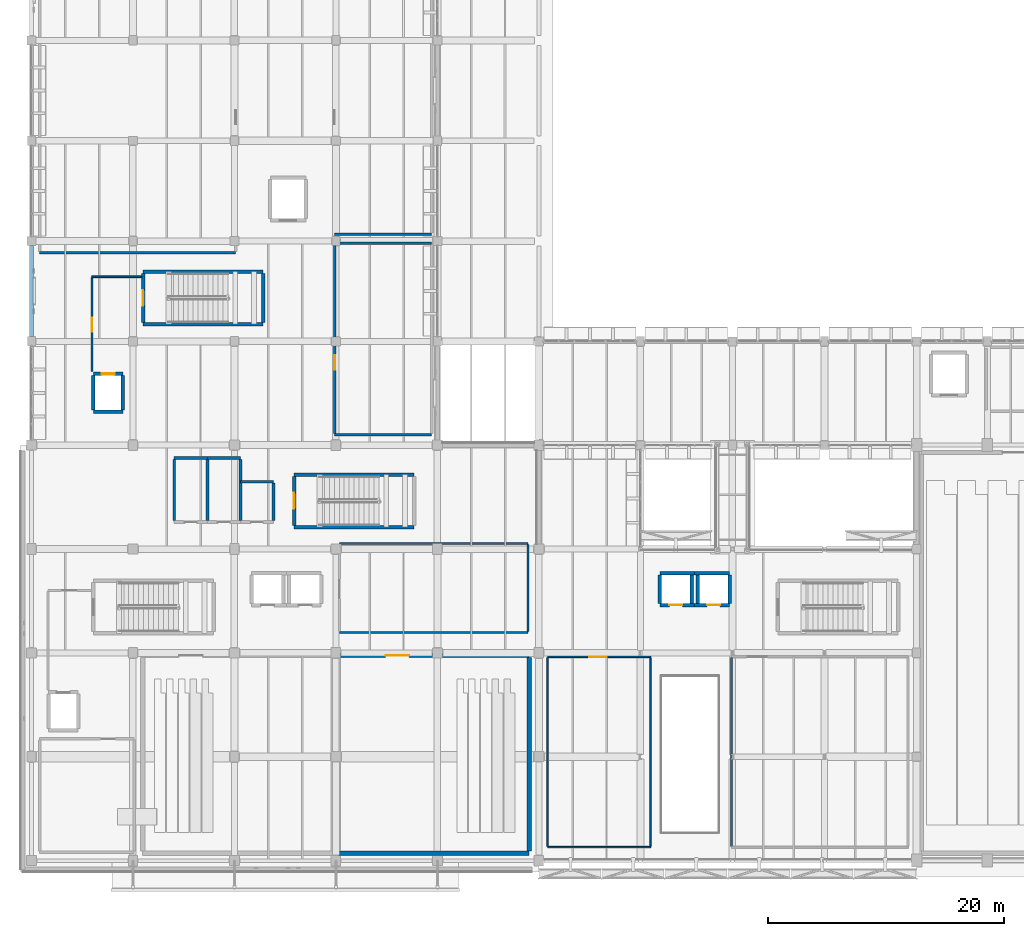
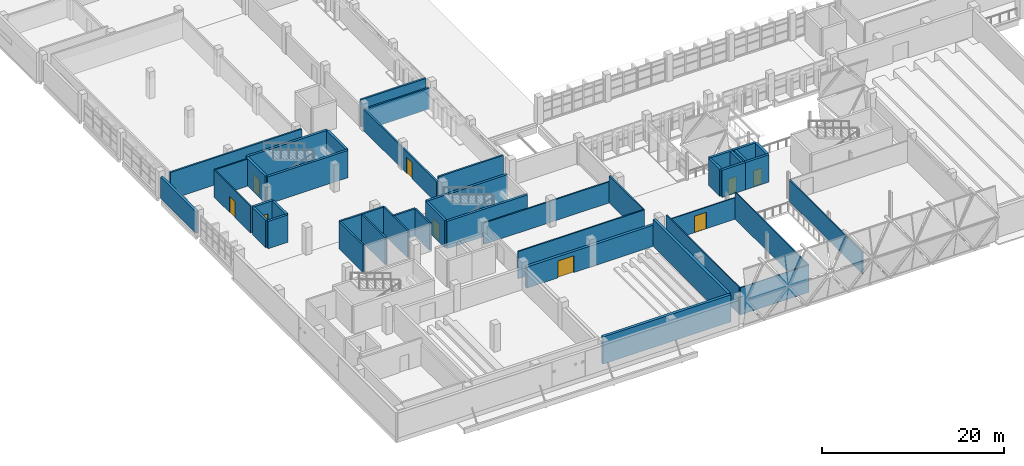
# One storey, part 60 of 80: 45 walls, 9 doors, 9 openings.
"""IFC4 building model written with IfcOpenShell, lengths in metres."""

from ifc_helpers import new_model, si_unit, direction, frame, frame_2d, origin, place, context, subcontext, project, spatial, rectangle, extrude, material, layer, layer_set, type_object, element, fill, save


model = new_model("IFC4")

# Units and contexts
model_context = context("Model", 3, precision=1e-05, world=origin(), true_north=direction((0.0, 1.0)))
body_context = subcontext(model_context, "Body", "Model", "MODEL_VIEW")
ifc_project = project(units=[si_unit("LENGTHUNIT", "METRE"), si_unit("AREAUNIT", "SQUARE_METRE"), si_unit("VOLUMEUNIT", "CUBIC_METRE"), si_unit("PLANEANGLEUNIT", "RADIAN"), si_unit("MASSUNIT", "GRAM", prefix="KILO")], contexts=[model_context])

# Site, building, storey
site_placement = place(None, origin())
site = spatial("IfcSite", under=ifc_project, at=site_placement, CompositionType="ELEMENT")
building_placement = place(site_placement, origin())
building = spatial("IfcBuilding", under=site, at=building_placement, Name="Varnakota Cinema and Media Centre", CompositionType="ELEMENT")
storey_placement = place(building_placement, frame((0.0, 0.0, 4.5)))
storey = spatial("IfcBuildingStorey", under=building, at=storey_placement, Name="L01", CompositionType="ELEMENT", Elevation=4.5)

# Wall
ifc_material_1 = material(Name="Autoclaved aerated concrete blockwork", Category="masonry")
ifc_layer_1 = layer(ifc_material_1, 0.2099609375)
ifc_layer_set_1 = layer_set([ifc_layer_1], Name="Autoclaved aerated concrete blockwork")
wall_type_1 = type_object("IfcWallType", Name="W-ACOUST-210", PredefinedType="PARTITIONING", material=ifc_layer_set_1)
wall_1_placement = place(storey_placement, frame((33.905029296875, 36.094970703125, 0.0), z_axis=(0.0, 0.0, 1.0), x_axis=(-1.0, 0.0, 0.0)))
element("IfcWall", 1, at=wall_1_placement, inside=storey, type_object=wall_type_1, Name="L01 RWALL-RM-L01-ADR S wall", PredefinedType="PARTITIONING", context=body_context, shape_type="SweptSolid", body=[
    extrude(rectangle(XDim=8.2099609375, YDim=0.2099609375, at=frame_2d((4.10498046875, 0.0))), origin(), (0.0, 0.0, 1.0), 3.6298828125),
])

# Wall, opening, door
wall_2_placement = place(storey_placement, frame((25.695068359375, 36.199951171875, 0.0), z_axis=(0.0, 0.0, 1.0), x_axis=(0.0, 1.0, 0.0)))
wall_2 = element("IfcWall", 2, at=wall_2_placement, inside=storey, type_object=wall_type_1, Name="L01 RWALL-RM-L01-ADR W wall", PredefinedType="PARTITIONING", context=body_context, shape_type="SweptSolid", body=[
    extrude(rectangle(XDim=16.0, YDim=0.2099609375, at=frame_2d((8.0, 0.0))), origin(), (0.0, 0.0, 1.0), 2.8798828125),
])
opening_1_placement = place(wall_2_placement, frame((5.39990234375, 0.0, 0.0)))
opening_1 = element("IfcOpeningElement", 3, at=opening_1_placement, cuts=wall_2, Name="Opening D-068", PredefinedType="OPENING", context=body_context, shape_type="SweptSolid", body=[
    extrude(rectangle(XDim=1.199951171875, YDim=2.14990234375, at=frame_2d((0.60009765625, 1.074951171875))), frame((0.0, 0.10498046875, 0.0), z_axis=(0.0, -1.0, 0.0), x_axis=(1.0, 0.0, 0.0)), (0.0, 0.0, 1.0), 0.2099609375),
])
ifc_material_2 = material(Name="Thermally broken anodised aluminium AW-6063", Category="aluminium")
door_type_1 = type_object("IfcDoorType", Name="DR-STD-1200x2150", OperationType="NOTDEFINED", PredefinedType="DOOR", material=ifc_material_2)
door_1_placement = place(opening_1_placement, origin())
door_1 = element("IfcDoor", 4, at=door_1_placement, inside=storey, type_object=door_type_1, Name="L01 door D-068", OperationType="SINGLE_SWING_RIGHT", OverallHeight=2.14990234375, OverallWidth=1.199951171875, PredefinedType="DOOR", context=body_context, shape_type="SweptSolid", body=[
    extrude(rectangle(XDim=1.199951171875, YDim=2.14990234375, at=frame_2d((0.60009765625, 1.074951171875))), frame((0.0, 0.02490234375, 0.0), z_axis=(0.0, -1.0, 0.0), x_axis=(1.0, 0.0, 0.0)), (0.0, 0.0, 1.0), 0.050048828125),
])
fill(opening_1, door_1)

# Walls
wall_3_placement = place(storey_placement, frame((25.695068359375, 52.304931640625, 0.0), z_axis=(0.0, 0.0, 1.0), x_axis=(1.0, 0.0, 0.0)))
element("IfcWall", 5, at=wall_3_placement, inside=storey, type_object=wall_type_1, Name="L01 RWALL-RM-L01-ADR N wall", PredefinedType="PARTITIONING", context=body_context, shape_type="SweptSolid", body=[
    extrude(rectangle(XDim=8.2099609375, YDim=0.2099609375, at=frame_2d((4.10498046875, 0.0))), origin(), (0.0, 0.0, 1.0), 2.830078125),
])
wall_4_placement = place(storey_placement, frame((17.304931640625, 51.4951171875, 0.0), z_axis=(0.0, 0.0, 1.0), x_axis=(-1.0, 0.0, 0.0)))
element("IfcWall", 6, at=wall_4_placement, inside=storey, type_object=wall_type_1, Name="L01 RWALL-RM-L01-FOLEY2 S wall", PredefinedType="PARTITIONING", context=body_context, shape_type="SweptSolid", body=[
    extrude(rectangle(XDim=16.60986328125, YDim=0.2099609375, at=frame_2d((8.304931640625, 0.0))), origin(), (0.0, 0.0, 1.0), 3.6298828125),
])
ifc_material_3 = material(Name="Autoclaved aerated concrete blockwork", Category="masonry")
ifc_layer_2 = layer(ifc_material_3, 0.22998046875)
ifc_layer_set_2 = layer_set([ifc_layer_2], Name="Autoclaved aerated concrete blockwork")
wall_type_2 = type_object("IfcWallType", Name="W-BOX-230", PredefinedType="PARTITIONING", material=ifc_layer_set_2)
wall_5_placement = place(storey_placement, frame((33.9150390625, 53.0849609375, 0.0), z_axis=(0.0, 0.0, 1.0), x_axis=(-1.0, 0.0, 0.0)))
element("IfcWall", 7, at=wall_5_placement, inside=storey, type_object=wall_type_2, Name="L01 RWALL-RM-L01-MCR S wall", PredefinedType="PARTITIONING", context=body_context, shape_type="SweptSolid", body=[
    extrude(rectangle(XDim=8.22998046875, YDim=0.22998046875, at=frame_2d((4.114990234375, 0.0))), origin(), (0.0, 0.0, 1.0), 3.6298828125),
])
ifc_material_4 = material(Name="Concrete M40", Category="concrete")
ifc_layer_3 = layer(ifc_material_4, 0.300048828125)
ifc_layer_set_3 = layer_set([ifc_layer_3], Name="Concrete M40")
wall_type_3 = type_object("IfcWallType", Name="W-CORE-300", PredefinedType="SHEAR", material=ifc_layer_set_3)
wall_6_placement = place(storey_placement, frame((32.429931640625, 28.25, 0.0), z_axis=(0.0, 0.0, 1.0), x_axis=(-1.0, 0.0, 0.0)))
element("IfcWall", 8, at=wall_6_placement, inside=storey, type_object=wall_type_3, Name="L01 CWALL-ST-02-L01 S wall", PredefinedType="SHEAR", context=body_context, shape_type="SweptSolid", body=[
    extrude(rectangle(XDim=10.179931640625, YDim=0.300048828125, at=frame_2d((5.08984375, 0.0))), origin(), (0.0, 0.0, 1.0), 3.64990234375),
])

# Wall, opening, door
wall_7_placement = place(storey_placement, frame((22.25, 28.39990234375, 0.0), z_axis=(0.0, 0.0, 1.0), x_axis=(0.0, 1.0, 0.0)))
wall_7 = element("IfcWall", 9, at=wall_7_placement, inside=storey, type_object=wall_type_3, Name="L01 CWALL-ST-02-L01 W wall", PredefinedType="SHEAR", context=body_context, shape_type="SweptSolid", body=[
    extrude(rectangle(XDim=4.150146484375, YDim=0.300048828125, at=frame_2d((2.0751953125, 0.0))), origin(), (0.0, 0.0, 1.0), 3.64990234375),
])
opening_2_placement = place(wall_7_placement, frame((1.39990234375, 0.0, 0.0)))
opening_2 = element("IfcOpeningElement", 10, at=opening_2_placement, cuts=wall_7, Name="Opening SD-02", PredefinedType="OPENING", context=body_context, shape_type="SweptSolid", body=[
    extrude(rectangle(XDim=1.35009765625, YDim=2.199951171875, at=frame_2d((0.675048828125, 1.10009765625))), frame((0.0, 0.14990234375, 0.0), z_axis=(0.0, -1.0, 0.0), x_axis=(1.0, 0.0, 0.0)), (0.0, 0.0, 1.0), 0.300048828125),
])
ifc_material_5 = material(Name="Thermally broken anodised aluminium AW-6063", Category="aluminium")
door_type_2 = type_object("IfcDoorType", Name="DR-STAIR-1350x2200", OperationType="NOTDEFINED", PredefinedType="DOOR", material=ifc_material_5)
door_2_placement = place(opening_2_placement, origin())
door_2 = element("IfcDoor", 11, at=door_2_placement, inside=storey, type_object=door_type_2, Name="L01 door SD-02", OperationType="SINGLE_SWING_RIGHT", OverallHeight=2.199951171875, OverallWidth=1.35009765625, PredefinedType="DOOR", context=body_context, shape_type="SweptSolid", body=[
    extrude(rectangle(XDim=1.35009765625, YDim=2.199951171875, at=frame_2d((0.675048828125, 1.10009765625))), frame((0.0, 0.02490234375, 0.0), z_axis=(0.0, -1.0, 0.0), x_axis=(1.0, 0.0, 0.0)), (0.0, 0.0, 1.0), 0.050048828125),
])
fill(opening_2, door_2)

# Walls
for number, where, z_axis, x_axis, name in (
    (12, (22.25, 32.699951171875, 0.0), (0.0, 0.0, 1.0), (1.0, 0.0, 0.0), "L01 CWALL-ST-02-L01 N wall"),
    (13, (19.6298828125, 45.449951171875, 0.0), (0.0, 0.0, 1.0), (-1.0, 0.0, 0.0), "L01 CWALL-ST-03-L01 S wall"),
):
    element("IfcWall", number, at=place(storey_placement, frame(where, z_axis=z_axis, x_axis=x_axis)), inside=storey, type_object=wall_type_3, Name=name, PredefinedType="SHEAR", context=body_context, shape_type="SweptSolid", body=[
        extrude(rectangle(XDim=10.179931640625, YDim=0.300048828125, at=frame_2d((5.08984375, 0.0))), origin(), (0.0, 0.0, 1.0), 3.64990234375),
    ])

# Wall, opening, door
wall_8_placement = place(storey_placement, frame((9.449951171875, 45.60009765625, 0.0), z_axis=(0.0, 0.0, 1.0), x_axis=(0.0, 1.0, 0.0)))
wall_8 = element("IfcWall", 14, at=wall_8_placement, inside=storey, type_object=wall_type_3, Name="L01 CWALL-ST-03-L01 W wall", PredefinedType="SHEAR", context=body_context, shape_type="SweptSolid", body=[
    extrude(rectangle(XDim=4.14990234375, YDim=0.300048828125, at=frame_2d((2.074951171875, 0.0))), origin(), (0.0, 0.0, 1.0), 3.64990234375),
])
opening_3_placement = place(wall_8_placement, frame((1.39990234375, 0.0, 0.0)))
opening_3 = element("IfcOpeningElement", 15, at=opening_3_placement, cuts=wall_8, Name="Opening SD-03", PredefinedType="OPENING", context=body_context, shape_type="SweptSolid", body=[
    extrude(rectangle(XDim=1.35009765625, YDim=2.199951171875, at=frame_2d((0.675048828125, 1.10009765625))), frame((0.0, 0.14990234375, 0.0), z_axis=(0.0, -1.0, 0.0), x_axis=(1.0, 0.0, 0.0)), (0.0, 0.0, 1.0), 0.300048828125),
])
door_3_placement = place(opening_3_placement, origin())
door_3 = element("IfcDoor", 16, at=door_3_placement, inside=storey, type_object=door_type_2, Name="L01 door SD-03", OperationType="SINGLE_SWING_RIGHT", OverallHeight=2.199951171875, OverallWidth=1.35009765625, PredefinedType="DOOR", context=body_context, shape_type="SweptSolid", body=[
    extrude(rectangle(XDim=1.35009765625, YDim=2.199951171875, at=frame_2d((0.675048828125, 1.10009765625))), frame((0.0, 0.02490234375, 0.0), z_axis=(0.0, -1.0, 0.0), x_axis=(1.0, 0.0, 0.0)), (0.0, 0.0, 1.0), 0.050048828125),
])
fill(opening_3, door_3)

# Walls
wall_9_placement = place(storey_placement, frame((9.449951171875, 49.89990234375, 0.0), z_axis=(0.0, 0.0, 1.0), x_axis=(1.0, 0.0, 0.0)))
element("IfcWall", 17, at=wall_9_placement, inside=storey, type_object=wall_type_3, Name="L01 CWALL-ST-03-L01 N wall", PredefinedType="SHEAR", context=body_context, shape_type="SweptSolid", body=[
    extrude(rectangle(XDim=10.179931640625, YDim=0.300048828125, at=frame_2d((5.08984375, 0.0))), origin(), (0.0, 0.0, 1.0), 3.64990234375),
])
wall_10_placement = place(storey_placement, frame((19.6298828125, 49.75, 0.0), z_axis=(0.0, 0.0, 1.0), x_axis=(0.0, -1.0, 0.0)))
element("IfcWall", 18, at=wall_10_placement, inside=storey, type_object=wall_type_3, Name="L01 CWALL-ST-03-L01 E wall", PredefinedType="SHEAR", context=body_context, shape_type="SweptSolid", body=[
    extrude(rectangle(XDim=4.14990234375, YDim=0.300048828125, at=frame_2d((2.074951171875, 0.0))), origin(), (0.0, 0.0, 1.0), 3.64990234375),
])
wall_11_placement = place(storey_placement, frame((7.75, 38.050048828125, 0.0), z_axis=(0.0, 0.0, 1.0), x_axis=(-1.0, 0.0, 0.0)))
element("IfcWall", 19, at=wall_11_placement, inside=storey, type_object=wall_type_3, Name="L01 LSHAFT-LF-02-L01 S wall", PredefinedType="SHEAR", context=body_context, shape_type="SweptSolid", body=[
    extrude(rectangle(XDim=2.5, YDim=0.300048828125, at=frame_2d((1.25, 0.0))), origin(), (0.0, 0.0, 1.0), 3.64990234375),
])
wall_12_placement = place(storey_placement, frame((5.25, 38.199951171875, 0.0), z_axis=(0.0, 0.0, 1.0), x_axis=(0.0, 1.0, 0.0)))
element("IfcWall", 20, at=wall_12_placement, inside=storey, type_object=wall_type_3, Name="L01 LSHAFT-LF-02-L01 W wall", PredefinedType="SHEAR", context=body_context, shape_type="SweptSolid", body=[
    extrude(rectangle(XDim=2.900146484375, YDim=0.300048828125, at=frame_2d((1.4501953125, 0.0))), origin(), (0.0, 0.0, 1.0), 3.64990234375),
])

# Wall, opening, door
wall_13_placement = place(storey_placement, frame((5.25, 41.25, 0.0), z_axis=(0.0, 0.0, 1.0), x_axis=(1.0, 0.0, 0.0)))
wall_13 = element("IfcWall", 21, at=wall_13_placement, inside=storey, type_object=wall_type_3, Name="L01 LSHAFT-LF-02-L01 N wall", PredefinedType="SHEAR", context=body_context, shape_type="SweptSolid", body=[
    extrude(rectangle(XDim=2.5, YDim=0.300048828125, at=frame_2d((1.25, 0.0))), origin(), (0.0, 0.0, 1.0), 3.64990234375),
])
opening_4_placement = place(wall_13_placement, frame((0.699951171875, 0.0, 0.0)))
opening_4 = element("IfcOpeningElement", 22, at=opening_4_placement, cuts=wall_13, Name="Opening LD-02", PredefinedType="OPENING", context=body_context, shape_type="SweptSolid", body=[
    extrude(rectangle(XDim=1.10009765625, YDim=2.10009765625, at=frame_2d((0.550048828125, 1.050048828125))), frame((0.0, 0.14990234375, 0.0), z_axis=(0.0, -1.0, 0.0), x_axis=(1.0, 0.0, 0.0)), (0.0, 0.0, 1.0), 0.300048828125),
])
ifc_material_6 = material(Name="Thermally broken anodised aluminium AW-6063", Category="aluminium")
door_type_3 = type_object("IfcDoorType", Name="DR-LIFT-1100x2100", OperationType="SLIDING_TO_LEFT", PredefinedType="DOOR", material=ifc_material_6)
door_4_placement = place(opening_4_placement, origin())
door_4 = element("IfcDoor", 23, at=door_4_placement, inside=storey, type_object=door_type_3, Name="L01 door LD-02", OperationType="SLIDING_TO_LEFT", OverallHeight=2.10009765625, OverallWidth=1.10009765625, PredefinedType="DOOR", context=body_context, shape_type="SweptSolid", body=[
    extrude(rectangle(XDim=1.10009765625, YDim=2.10009765625, at=frame_2d((0.550048828125, 1.050048828125))), frame((0.0, 0.02490234375, 0.0), z_axis=(0.0, -1.0, 0.0), x_axis=(1.0, 0.0, 0.0)), (0.0, 0.0, 1.0), 0.050048828125),
])
fill(opening_4, door_4)

# Wall
wall_14_placement = place(storey_placement, frame((7.75, 41.10009765625, 0.0), z_axis=(0.0, 0.0, 1.0), x_axis=(0.0, -1.0, 0.0)))
element("IfcWall", 24, at=wall_14_placement, inside=storey, type_object=wall_type_3, Name="L01 LSHAFT-LF-02-L01 E wall", PredefinedType="SHEAR", context=body_context, shape_type="SweptSolid", body=[
    extrude(rectangle(XDim=2.900146484375, YDim=0.300048828125, at=frame_2d((1.4501953125, 0.0))), origin(), (0.0, 0.0, 1.0), 3.64990234375),
])

# Wall, opening, door
wall_15_placement = place(storey_placement, frame((56.199951171875, 21.64990234375, 0.0), z_axis=(0.0, 0.0, 1.0), x_axis=(-1.0, 0.0, 0.0)))
wall_15 = element("IfcWall", 25, at=wall_15_placement, inside=storey, type_object=wall_type_3, Name="L01 LSHAFT-LF-05-L01 S wall", PredefinedType="SHEAR", context=body_context, shape_type="SweptSolid", body=[
    extrude(rectangle(XDim=2.949951171875, YDim=0.300048828125, at=frame_2d((1.47509765625, 0.0))), origin(), (0.0, 0.0, 1.0), 3.64990234375),
])
opening_5_placement = place(wall_15_placement, frame((1.050048828125, 0.0, 0.0)))
opening_5 = element("IfcOpeningElement", 26, at=opening_5_placement, cuts=wall_15, Name="Opening LD-05", PredefinedType="OPENING", context=body_context, shape_type="SweptSolid", body=[
    extrude(rectangle(XDim=1.10009765625, YDim=2.10009765625, at=frame_2d((0.550048828125, 1.050048828125))), frame((0.0, 0.14990234375, 0.0), z_axis=(0.0, -1.0, 0.0), x_axis=(1.0, 0.0, 0.0)), (0.0, 0.0, 1.0), 0.300048828125),
])
door_5_placement = place(opening_5_placement, origin())
door_5 = element("IfcDoor", 27, at=door_5_placement, inside=storey, type_object=door_type_3, Name="L01 door LD-05", OperationType="SLIDING_TO_LEFT", OverallHeight=2.10009765625, OverallWidth=1.10009765625, PredefinedType="DOOR", context=body_context, shape_type="SweptSolid", body=[
    extrude(rectangle(XDim=1.10009765625, YDim=2.10009765625, at=frame_2d((0.550048828125, 1.050048828125))), frame((0.0, 0.02490234375, 0.0), z_axis=(0.0, -1.0, 0.0), x_axis=(1.0, 0.0, 0.0)), (0.0, 0.0, 1.0), 0.050048828125),
])
fill(opening_5, door_5)

# Walls
wall_16_placement = place(storey_placement, frame((53.25, 21.800048828125, 0.0), z_axis=(0.0, 0.0, 1.0), x_axis=(0.0, 1.0, 0.0)))
element("IfcWall", 28, at=wall_16_placement, inside=storey, type_object=wall_type_3, Name="L01 LSHAFT-LF-05-L01 W wall", PredefinedType="SHEAR", context=body_context, shape_type="SweptSolid", body=[
    extrude(rectangle(XDim=2.39990234375, YDim=0.300048828125, at=frame_2d((1.199951171875, 0.0))), origin(), (0.0, 0.0, 1.0), 3.64990234375),
])
wall_17_placement = place(storey_placement, frame((53.25, 24.35009765625, 0.0), z_axis=(0.0, 0.0, 1.0), x_axis=(1.0, 0.0, 0.0)))
element("IfcWall", 29, at=wall_17_placement, inside=storey, type_object=wall_type_3, Name="L01 LSHAFT-LF-05-L01 N wall", PredefinedType="SHEAR", context=body_context, shape_type="SweptSolid", body=[
    extrude(rectangle(XDim=2.949951171875, YDim=0.300048828125, at=frame_2d((1.47509765625, 0.0))), origin(), (0.0, 0.0, 1.0), 3.64990234375),
])
wall_18_placement = place(storey_placement, frame((55.949951171875, 24.199951171875, 0.0), z_axis=(0.0, 0.0, 1.0), x_axis=(0.0, -1.0, 0.0)))
element("IfcWall", 30, at=wall_18_placement, inside=storey, type_object=wall_type_3, Name="L01 LSHAFT-LF-05-L01 E wall", PredefinedType="SHEAR", context=body_context, shape_type="SweptSolid", body=[
    extrude(rectangle(XDim=2.39990234375, YDim=0.300048828125, at=frame_2d((1.199951171875, 0.0))), origin(), (0.0, 0.0, 1.0), 3.64990234375),
])

# Wall, opening, door
wall_19_placement = place(storey_placement, frame((59.14990234375, 21.64990234375, 0.0), z_axis=(0.0, 0.0, 1.0), x_axis=(-1.0, 0.0, 0.0)))
wall_19 = element("IfcWall", 31, at=wall_19_placement, inside=storey, type_object=wall_type_3, Name="L01 LSHAFT-LF-06-L01 S wall", PredefinedType="SHEAR", context=body_context, shape_type="SweptSolid", body=[
    extrude(rectangle(XDim=2.949951171875, YDim=0.300048828125, at=frame_2d((1.47509765625, 0.0))), origin(), (0.0, 0.0, 1.0), 3.64990234375),
])
opening_6_placement = place(wall_19_placement, frame((0.800048828125, 0.0, 0.0)))
opening_6 = element("IfcOpeningElement", 32, at=opening_6_placement, cuts=wall_19, Name="Opening LD-06", PredefinedType="OPENING", context=body_context, shape_type="SweptSolid", body=[
    extrude(rectangle(XDim=1.10009765625, YDim=2.10009765625, at=frame_2d((0.550048828125, 1.050048828125))), frame((0.0, 0.14990234375, 0.0), z_axis=(0.0, -1.0, 0.0), x_axis=(1.0, 0.0, 0.0)), (0.0, 0.0, 1.0), 0.300048828125),
])
door_6_placement = place(opening_6_placement, origin())
door_6 = element("IfcDoor", 33, at=door_6_placement, inside=storey, type_object=door_type_3, Name="L01 door LD-06", OperationType="SLIDING_TO_LEFT", OverallHeight=2.10009765625, OverallWidth=1.10009765625, PredefinedType="DOOR", context=body_context, shape_type="SweptSolid", body=[
    extrude(rectangle(XDim=1.10009765625, YDim=2.10009765625, at=frame_2d((0.550048828125, 1.050048828125))), frame((0.0, 0.02490234375, 0.0), z_axis=(0.0, -1.0, 0.0), x_axis=(1.0, 0.0, 0.0)), (0.0, 0.0, 1.0), 0.050048828125),
])
fill(opening_6, door_6)

# Walls
wall_20_placement = place(storey_placement, frame((56.449951171875, 21.800048828125, 0.0), z_axis=(0.0, 0.0, 1.0), x_axis=(0.0, 1.0, 0.0)))
element("IfcWall", 34, at=wall_20_placement, inside=storey, type_object=wall_type_3, Name="L01 LSHAFT-LF-06-L01 W wall", PredefinedType="SHEAR", context=body_context, shape_type="SweptSolid", body=[
    extrude(rectangle(XDim=2.39990234375, YDim=0.300048828125, at=frame_2d((1.199951171875, 0.0))), origin(), (0.0, 0.0, 1.0), 3.64990234375),
])
wall_21_placement = place(storey_placement, frame((56.199951171875, 24.35009765625, 0.0), z_axis=(0.0, 0.0, 1.0), x_axis=(1.0, 0.0, 0.0)))
element("IfcWall", 35, at=wall_21_placement, inside=storey, type_object=wall_type_3, Name="L01 LSHAFT-LF-06-L01 N wall", PredefinedType="SHEAR", context=body_context, shape_type="SweptSolid", body=[
    extrude(rectangle(XDim=2.949951171875, YDim=0.300048828125, at=frame_2d((1.47509765625, 0.0))), origin(), (0.0, 0.0, 1.0), 3.64990234375),
])
wall_22_placement = place(storey_placement, frame((59.14990234375, 24.199951171875, 0.0), z_axis=(0.0, 0.0, 1.0), x_axis=(0.0, -1.0, 0.0)))
element("IfcWall", 36, at=wall_22_placement, inside=storey, type_object=wall_type_3, Name="L01 LSHAFT-LF-06-L01 E wall", PredefinedType="SHEAR", context=body_context, shape_type="SweptSolid", body=[
    extrude(rectangle(XDim=2.39990234375, YDim=0.300048828125, at=frame_2d((1.199951171875, 0.0))), origin(), (0.0, 0.0, 1.0), 3.64990234375),
])
ifc_material_7 = material(Name="Deccan grey granite ashlar", Category="masonry")
ifc_layer_4 = layer(ifc_material_7, 0.320068359375)
ifc_layer_set_4 = layer_set([ifc_layer_4], Name="Deccan grey granite ashlar")
wall_type_4 = type_object("IfcWallType", Name="W-EXT-GRAN-320", PredefinedType="SOLIDWALL", material=ifc_layer_set_4)
wall_23_placement = place(storey_placement, frame((0.0, 52.125, 0.0), z_axis=(0.0, 0.0, 1.0), x_axis=(0.0, -1.0, 0.0)))
element("IfcWall", 37, at=wall_23_placement, inside=storey, type_object=wall_type_4, Name="L01 exterior wall V5-W-4", PredefinedType="SOLIDWALL", context=body_context, shape_type="SweptSolid", body=[
    extrude(rectangle(XDim=7.72509765625, YDim=0.320068359375, at=frame_2d((3.862548828125, 0.0))), origin(), (0.0, 0.0, 1.0), 2.885009765625),
])
ifc_material_8 = material(Name="Autoclaved aerated concrete blockwork", Category="masonry")
ifc_layer_5 = layer(ifc_material_8, 0.1298828125)
ifc_layer_set_5 = layer_set([ifc_layer_5], Name="Autoclaved aerated concrete blockwork")
wall_type_5 = type_object("IfcWallType", Name="W-PART-130", PredefinedType="PARTITIONING", material=ifc_layer_set_5)
wall_24_placement = place(storey_placement, frame((52.465087890625, 1.135009765625, 0.0), z_axis=(0.0, 0.0, 1.0), x_axis=(-1.0, 0.0, 0.0)))
element("IfcWall", 38, at=wall_24_placement, inside=storey, type_object=wall_type_5, Name="L01 RWALL-RM-L01-FOY1 S wall", PredefinedType="PARTITIONING", context=body_context, shape_type="SweptSolid", body=[
    extrude(rectangle(XDim=8.72998046875, YDim=0.1298828125, at=frame_2d((4.364990234375, 0.0))), origin(), (0.0, 0.0, 1.0), 3.6298828125),
])
wall_25_placement = place(storey_placement, frame((43.735107421875, 1.199951171875, 0.0), z_axis=(0.0, 0.0, 1.0), x_axis=(0.0, 1.0, 0.0)))
element("IfcWall", 39, at=wall_25_placement, inside=storey, type_object=wall_type_5, Name="L01 RWALL-RM-L01-FOY1 W wall", PredefinedType="PARTITIONING", context=body_context, shape_type="SweptSolid", body=[
    extrude(rectangle(XDim=16.0, YDim=0.1298828125, at=frame_2d((8.0, 0.0))), origin(), (0.0, 0.0, 1.0), 3.6298828125),
])

# Wall, opening, door
wall_26_placement = place(storey_placement, frame((43.735107421875, 17.264892578125, 0.0), z_axis=(0.0, 0.0, 1.0), x_axis=(1.0, 0.0, 0.0)))
wall_26 = element("IfcWall", 40, at=wall_26_placement, inside=storey, type_object=wall_type_5, Name="L01 RWALL-RM-L01-FOY1 N wall", PredefinedType="PARTITIONING", context=body_context, shape_type="SweptSolid", body=[
    extrude(rectangle(XDim=8.72998046875, YDim=0.1298828125, at=frame_2d((4.364990234375, 0.0))), origin(), (0.0, 0.0, 1.0), 2.8798828125),
])
opening_7_placement = place(wall_26_placement, frame((3.514892578125, 0.0, 0.0)))
opening_7 = element("IfcOpeningElement", 41, at=opening_7_placement, cuts=wall_26, Name="Opening D-064", PredefinedType="OPENING", context=body_context, shape_type="SweptSolid", body=[
    extrude(rectangle(XDim=1.5, YDim=2.199951171875, at=frame_2d((0.75, 1.10009765625))), frame((0.0, 0.06494140625, 0.0), z_axis=(0.0, -1.0, 0.0), x_axis=(1.0, 0.0, 0.0)), (0.0, 0.0, 1.0), 0.1298828125),
])
ifc_material_9 = material(Name="Thermally broken anodised aluminium AW-6063", Category="aluminium")
door_type_4 = type_object("IfcDoorType", Name="DR-STD-1500x2200", OperationType="DOUBLE_DOOR_SINGLE_SWING", PredefinedType="DOOR", material=ifc_material_9)
door_7_placement = place(opening_7_placement, origin())
door_7 = element("IfcDoor", 42, at=door_7_placement, inside=storey, type_object=door_type_4, Name="L01 door D-064", OperationType="DOUBLE_DOOR_SINGLE_SWING", OverallHeight=2.199951171875, OverallWidth=1.5, PredefinedType="DOOR", context=body_context, shape_type="SweptSolid", body=[
    extrude(rectangle(XDim=1.5, YDim=2.199951171875, at=frame_2d((0.75, 1.10009765625))), frame((0.0, 0.02490234375, 0.0), z_axis=(0.0, -1.0, 0.0), x_axis=(1.0, 0.0, 0.0)), (0.0, 0.0, 1.0), 0.050048828125),
])
fill(opening_7, door_7)

# Wall
wall_27_placement = place(storey_placement, frame((52.465087890625, 17.199951171875, 0.0), z_axis=(0.0, 0.0, 1.0), x_axis=(0.0, -1.0, 0.0)))
element("IfcWall", 43, at=wall_27_placement, inside=storey, type_object=wall_type_5, Name="L01 RWALL-RM-L01-FOY1 E wall", PredefinedType="PARTITIONING", context=body_context, shape_type="SweptSolid", body=[
    extrude(rectangle(XDim=16.0, YDim=0.1298828125, at=frame_2d((8.0, 0.0))), origin(), (0.0, 0.0, 1.0), 3.6298828125),
])

# Wall, opening, door
ifc_material_10 = material(Name="Autoclaved aerated concrete blockwork", Category="masonry")
ifc_layer_6 = layer(ifc_material_10, 0.14990234375)
ifc_layer_set_6 = layer_set([ifc_layer_6], Name="Autoclaved aerated concrete blockwork")
wall_type_6 = type_object("IfcWallType", Name="W-PART-150", PredefinedType="PARTITIONING", material=ifc_layer_set_6)
wall_28_placement = place(storey_placement, frame((5.125, 41.449951171875, 0.0), z_axis=(0.0, 0.0, 1.0), x_axis=(0.0, 1.0, 0.0)))
wall_28 = element("IfcWall", 44, at=wall_28_placement, inside=storey, type_object=wall_type_6, Name="L01 RWALL-RM-L01-FF-2 W wall", PredefinedType="PARTITIONING", context=body_context, shape_type="SweptSolid", body=[
    extrude(rectangle(XDim=7.949951171875, YDim=0.14990234375, at=frame_2d((3.97509765625, 0.0))), origin(), (0.0, 0.0, 1.0), 3.6298828125),
])
opening_8_placement = place(wall_28_placement, frame((3.35009765625, 0.0, 0.0)))
opening_8 = element("IfcOpeningElement", 45, at=opening_8_placement, cuts=wall_28, Name="Opening D-012", PredefinedType="OPENING", context=body_context, shape_type="SweptSolid", body=[
    extrude(rectangle(XDim=1.199951171875, YDim=2.14990234375, at=frame_2d((0.60009765625, 1.074951171875))), frame((0.0, 0.074951171875, 0.0), z_axis=(0.0, -1.0, 0.0), x_axis=(1.0, 0.0, 0.0)), (0.0, 0.0, 1.0), 0.14990234375),
])
door_8_placement = place(opening_8_placement, origin())
door_8 = element("IfcDoor", 46, at=door_8_placement, inside=storey, type_object=door_type_1, Name="L01 door D-012", OperationType="SINGLE_SWING_RIGHT", OverallHeight=2.14990234375, OverallWidth=1.199951171875, PredefinedType="DOOR", context=body_context, shape_type="SweptSolid", body=[
    extrude(rectangle(XDim=1.199951171875, YDim=2.14990234375, at=frame_2d((0.60009765625, 1.074951171875))), frame((0.0, 0.02490234375, 0.0), z_axis=(0.0, -1.0, 0.0), x_axis=(1.0, 0.0, 0.0)), (0.0, 0.0, 1.0), 0.050048828125),
])
fill(opening_8, door_8)

# Walls
wall_29_placement = place(storey_placement, frame((5.125, 49.47509765625, 0.0), z_axis=(0.0, 0.0, 1.0), x_axis=(1.0, 0.0, 0.0)))
element("IfcWall", 47, at=wall_29_placement, inside=storey, type_object=wall_type_6, Name="L01 RWALL-RM-L01-FF-2 N wall", PredefinedType="PARTITIONING", context=body_context, shape_type="SweptSolid", body=[
    extrude(rectangle(XDim=4.199951171875, YDim=0.14990234375, at=frame_2d((2.10009765625, 0.0))), origin(), (0.0, 0.0, 1.0), 3.6298828125),
])
wall_30_placement = place(storey_placement, frame((59.324951171875, 1.199951171875, 0.0), z_axis=(0.0, 0.0, 1.0), x_axis=(0.0, 1.0, 0.0)))
element("IfcWall", 48, at=wall_30_placement, inside=storey, type_object=wall_type_6, Name="L01 RWALL-RM-L01-GALLERY W wall", PredefinedType="PARTITIONING", context=body_context, shape_type="SweptSolid", body=[
    extrude(rectangle(XDim=16.0, YDim=0.14990234375, at=frame_2d((8.0, 0.0))), origin(), (0.0, 0.0, 1.0), 2.8798828125),
])
ifc_material_11 = material(Name="Autoclaved aerated concrete blockwork", Category="masonry")
ifc_layer_7 = layer(ifc_material_11, 0.169921875)
ifc_layer_set_7 = layer_set([ifc_layer_7], Name="Autoclaved aerated concrete blockwork")
wall_type_7 = type_object("IfcWallType", Name="W-PART-170", PredefinedType="PARTITIONING", material=ifc_layer_set_7)
wall_31_placement = place(storey_placement, frame((42.0849609375, 19.31494140625, 0.0), z_axis=(0.0, 0.0, 1.0), x_axis=(-1.0, 0.0, 0.0)))
element("IfcWall", 49, at=wall_31_placement, inside=storey, type_object=wall_type_7, Name="L01 RWALL-RM-L01-LOUNGE2 S wall", PredefinedType="PARTITIONING", context=body_context, shape_type="SweptSolid", body=[
    extrude(rectangle(XDim=15.969970703125, YDim=0.169921875, at=frame_2d((7.98486328125, 0.0))), origin(), (0.0, 0.0, 1.0), 3.6298828125),
])
wall_32_placement = place(storey_placement, frame((26.114990234375, 26.885009765625, 0.0), z_axis=(0.0, 0.0, 1.0), x_axis=(1.0, 0.0, 0.0)))
element("IfcWall", 50, at=wall_32_placement, inside=storey, type_object=wall_type_7, Name="L01 RWALL-RM-L01-LOUNGE2 N wall", PredefinedType="PARTITIONING", context=body_context, shape_type="SweptSolid", body=[
    extrude(rectangle(XDim=15.969970703125, YDim=0.169921875, at=frame_2d((7.98486328125, 0.0))), origin(), (0.0, 0.0, 1.0), 2.830078125),
])
wall_33_placement = place(storey_placement, frame((42.0849609375, 26.800048828125, 0.0), z_axis=(0.0, 0.0, 1.0), x_axis=(0.0, -1.0, 0.0)))
element("IfcWall", 51, at=wall_33_placement, inside=storey, type_object=wall_type_7, Name="L01 RWALL-RM-L01-LOUNGE2 E wall", PredefinedType="PARTITIONING", context=body_context, shape_type="SweptSolid", body=[
    extrude(rectangle(XDim=7.400146484375, YDim=0.169921875, at=frame_2d((3.7001953125, 0.0))), origin(), (0.0, 0.0, 1.0), 3.6298828125),
])
ifc_material_12 = material(Name="Autoclaved aerated concrete blockwork", Category="masonry")
ifc_layer_8 = layer(ifc_material_12, 0.219970703125)
ifc_layer_set_8 = layer_set([ifc_layer_8], Name="Autoclaved aerated concrete blockwork")
wall_type_8 = type_object("IfcWallType", Name="W-PLUMB-220", PredefinedType="PLUMBINGWALL", material=ifc_layer_set_8)
wall_34_placement = place(storey_placement, frame((12.090087890625, 28.800048828125, 0.0), z_axis=(0.0, 0.0, 1.0), x_axis=(0.0, 1.0, 0.0)))
element("IfcWall", 52, at=wall_34_placement, inside=storey, type_object=wall_type_8, Name="L01 RWALL-RM-L01-WCM W wall", PredefinedType="PLUMBINGWALL", context=body_context, shape_type="SweptSolid", body=[
    extrude(rectangle(XDim=5.199951171875, YDim=0.219970703125, at=frame_2d((2.60009765625, 0.0))), origin(), (0.0, 0.0, 1.0), 3.6298828125),
])
wall_35_placement = place(storey_placement, frame((12.090087890625, 34.110107421875, 0.0), z_axis=(0.0, 0.0, 1.0), x_axis=(1.0, 0.0, 0.0)))
element("IfcWall", 53, at=wall_35_placement, inside=storey, type_object=wall_type_8, Name="L01 RWALL-RM-L01-WCM N wall", PredefinedType="PLUMBINGWALL", context=body_context, shape_type="SweptSolid", body=[
    extrude(rectangle(XDim=2.81982421875, YDim=0.219970703125, at=frame_2d((1.409912109375, 0.0))), origin(), (0.0, 0.0, 1.0), 3.6298828125),
])
wall_36_placement = place(storey_placement, frame((14.909912109375, 34.0, 0.0), z_axis=(0.0, 0.0, 1.0), x_axis=(0.0, -1.0, 0.0)))
element("IfcWall", 54, at=wall_36_placement, inside=storey, type_object=wall_type_8, Name="L01 RWALL-RM-L01-WCM E wall", PredefinedType="PLUMBINGWALL", context=body_context, shape_type="SweptSolid", body=[
    extrude(rectangle(XDim=5.199951171875, YDim=0.219970703125, at=frame_2d((2.60009765625, 0.0))), origin(), (0.0, 0.0, 1.0), 3.6298828125),
])
wall_37_placement = place(storey_placement, frame((14.889892578125, 34.110107421875, 0.0), z_axis=(0.0, 0.0, 1.0), x_axis=(1.0, 0.0, 0.0)))
element("IfcWall", 55, at=wall_37_placement, inside=storey, type_object=wall_type_8, Name="L01 RWALL-RM-L01-WCF N wall", PredefinedType="PLUMBINGWALL", context=body_context, shape_type="SweptSolid", body=[
    extrude(rectangle(XDim=2.820068359375, YDim=0.219970703125, at=frame_2d((1.41015625, 0.0))), origin(), (0.0, 0.0, 1.0), 3.6298828125),
])
wall_38_placement = place(storey_placement, frame((17.7099609375, 34.0, 0.0), z_axis=(0.0, 0.0, 1.0), x_axis=(0.0, -1.0, 0.0)))
element("IfcWall", 56, at=wall_38_placement, inside=storey, type_object=wall_type_8, Name="L01 RWALL-RM-L01-WCF E wall", PredefinedType="PLUMBINGWALL", context=body_context, shape_type="SweptSolid", body=[
    extrude(rectangle(XDim=5.199951171875, YDim=0.219970703125, at=frame_2d((2.60009765625, 0.0))), origin(), (0.0, 0.0, 1.0), 3.6298828125),
])
wall_39_placement = place(storey_placement, frame((17.68994140625, 32.110107421875, 0.0), z_axis=(0.0, 0.0, 1.0), x_axis=(1.0, 0.0, 0.0)))
element("IfcWall", 57, at=wall_39_placement, inside=storey, type_object=wall_type_8, Name="L01 RWALL-RM-L01-WCA N wall", PredefinedType="PLUMBINGWALL", context=body_context, shape_type="SweptSolid", body=[
    extrude(rectangle(XDim=2.820068359375, YDim=0.219970703125, at=frame_2d((1.41015625, 0.0))), origin(), (0.0, 0.0, 1.0), 3.6298828125),
])
wall_40_placement = place(storey_placement, frame((20.510009765625, 32.0, 0.0), z_axis=(0.0, 0.0, 1.0), x_axis=(0.0, -1.0, 0.0)))
element("IfcWall", 58, at=wall_40_placement, inside=storey, type_object=wall_type_8, Name="L01 RWALL-RM-L01-WCA E wall", PredefinedType="PLUMBINGWALL", context=body_context, shape_type="SweptSolid", body=[
    extrude(rectangle(XDim=3.199951171875, YDim=0.219970703125, at=frame_2d((1.60009765625, 0.0))), origin(), (0.0, 0.0, 1.0), 3.6298828125),
])
ifc_material_13 = material(Name="Concrete M40", Category="concrete")
ifc_layer_9 = layer(ifc_material_13, 0.35009765625)
ifc_layer_set_9 = layer_set([ifc_layer_9], Name="Concrete M40")
wall_type_9 = type_object("IfcWallType", Name="W-SEP-350", PredefinedType="SOLIDWALL", material=ifc_layer_set_9)
wall_41_placement = place(storey_placement, frame((42.175048828125, 0.625, 0.0), z_axis=(0.0, 0.0, 1.0), x_axis=(-1.0, 0.0, 0.0)))
element("IfcWall", 59, at=wall_41_placement, inside=storey, type_object=wall_type_9, Name="L01 RWALL-RM-L01-SCR3 S wall", PredefinedType="SOLIDWALL", context=body_context, shape_type="SweptSolid", body=[
    extrude(rectangle(XDim=16.150146484375, YDim=0.35009765625, at=frame_2d((8.0751953125, 0.0))), origin(), (0.0, 0.0, 1.0), 3.6298828125),
])

# Wall, opening, door
wall_42_placement = place(storey_placement, frame((26.02490234375, 17.375, 0.0), z_axis=(0.0, 0.0, 1.0), x_axis=(1.0, 0.0, 0.0)))
wall_42 = element("IfcWall", 60, at=wall_42_placement, inside=storey, type_object=wall_type_9, Name="L01 RWALL-RM-L01-SCR3 N wall", PredefinedType="SOLIDWALL", context=body_context, shape_type="SweptSolid", body=[
    extrude(rectangle(XDim=16.150146484375, YDim=0.35009765625, at=frame_2d((8.0751953125, 0.0))), origin(), (0.0, 0.0, 1.0), 2.830078125),
])
opening_9_placement = place(wall_42_placement, frame((3.97509765625, 0.0, 0.0)))
opening_9 = element("IfcOpeningElement", 61, at=opening_9_placement, cuts=wall_42, Name="Opening D-060", PredefinedType="OPENING", context=body_context, shape_type="SweptSolid", body=[
    extrude(rectangle(XDim=2.0, YDim=2.25, at=frame_2d((1.0, 1.125))), frame((0.0, 0.175048828125, 0.0), z_axis=(0.0, -1.0, 0.0), x_axis=(1.0, 0.0, 0.0)), (0.0, 0.0, 1.0), 0.35009765625),
])
ifc_material_14 = material(Name="Thermally broken anodised aluminium AW-6063", Category="aluminium")
door_type_5 = type_object("IfcDoorType", Name="DR-AUD-2000x2250", OperationType="DOUBLE_DOOR_SINGLE_SWING", PredefinedType="DOOR", material=ifc_material_14)
door_9_placement = place(opening_9_placement, origin())
door_9 = element("IfcDoor", 62, at=door_9_placement, inside=storey, type_object=door_type_5, Name="L01 door D-060", OperationType="DOUBLE_DOOR_SINGLE_SWING", OverallHeight=2.25, OverallWidth=2.0, PredefinedType="DOOR", context=body_context, shape_type="SweptSolid", body=[
    extrude(rectangle(XDim=2.0, YDim=2.25, at=frame_2d((1.0, 1.125))), frame((0.0, 0.02490234375, 0.0), z_axis=(0.0, -1.0, 0.0), x_axis=(1.0, 0.0, 0.0)), (0.0, 0.0, 1.0), 0.050048828125),
])
fill(opening_9, door_9)

# Wall
wall_43_placement = place(storey_placement, frame((42.175048828125, 17.199951171875, 0.0), z_axis=(0.0, 0.0, 1.0), x_axis=(0.0, -1.0, 0.0)))
element("IfcWall", 63, at=wall_43_placement, inside=storey, type_object=wall_type_9, Name="L01 RWALL-RM-L01-SCR3 E wall", PredefinedType="SOLIDWALL", context=body_context, shape_type="SweptSolid", body=[
    extrude(rectangle(XDim=16.39990234375, YDim=0.35009765625, at=frame_2d((8.199951171875, 0.0))), origin(), (0.0, 0.0, 1.0), 3.6298828125),
])

save(model, "model.ifc")
